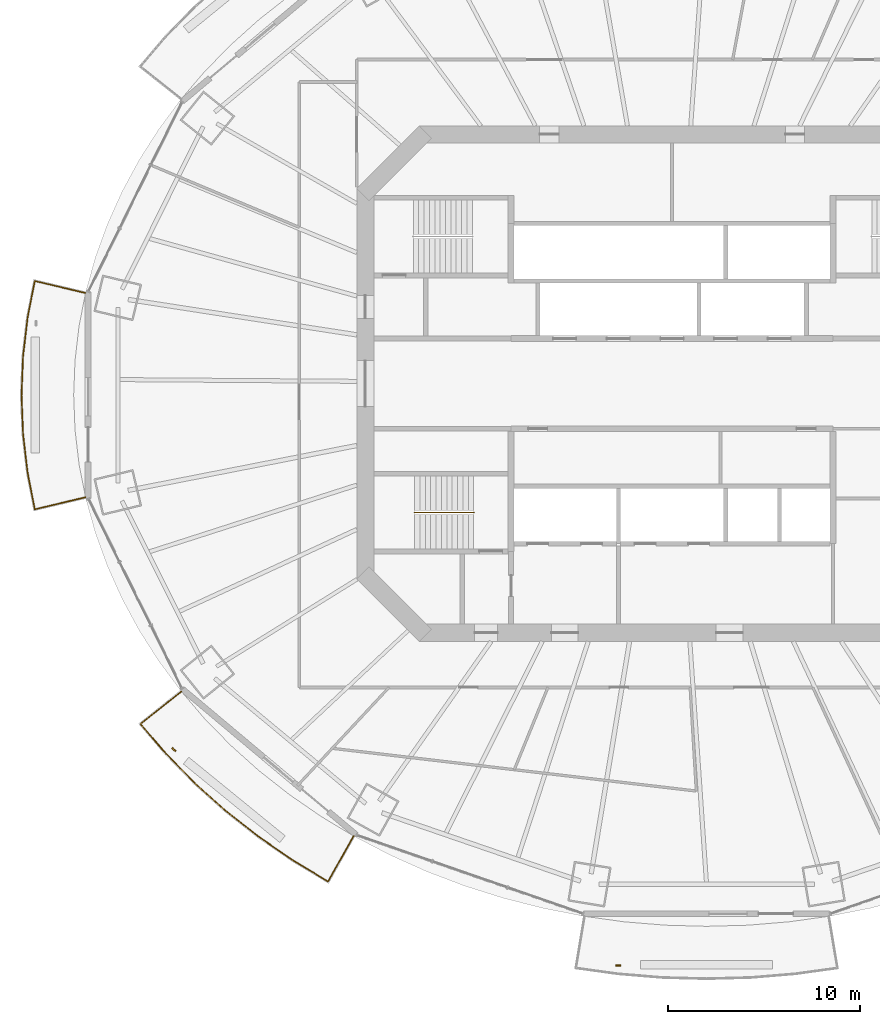
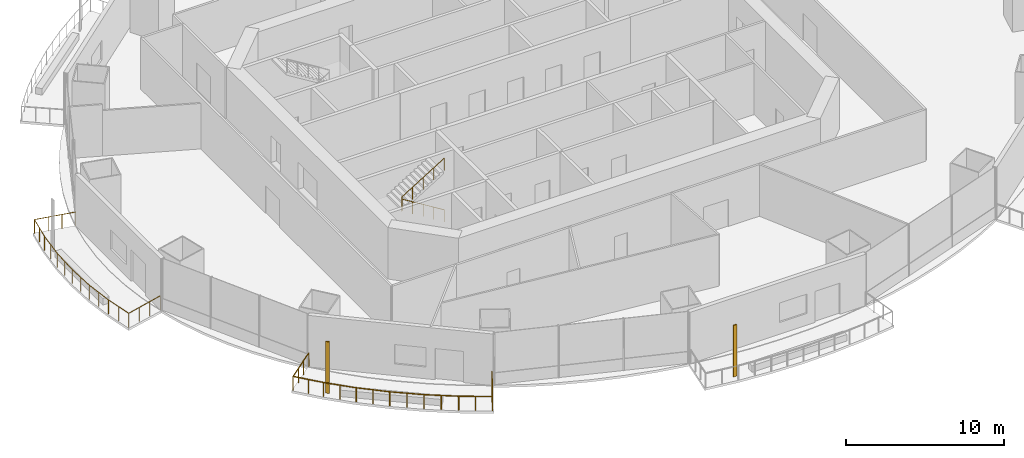
# One storey, part 16 of 21: 3 railings, 2 shading devices.
"""IFC4 building model written with IfcOpenShell, lengths in metres."""

from ifc_helpers import new_model, si_unit, direction, frame, origin, origin_2d, place, context, subcontext, project, spatial, rectangle, circle, extrude, material, material_profile, profile_set, type_object, element, save


model = new_model("IFC4")

# Units and contexts
model_context = context("Model", 3, precision=1e-05, world=origin(), true_north=direction((0.0, 1.0)))
body_context = subcontext(model_context, "Body", "Model", "MODEL_VIEW")
ifc_project = project(units=[si_unit("LENGTHUNIT", "METRE"), si_unit("AREAUNIT", "SQUARE_METRE"), si_unit("VOLUMEUNIT", "CUBIC_METRE"), si_unit("PLANEANGLEUNIT", "RADIAN"), si_unit("MASSUNIT", "GRAM", prefix="KILO")], contexts=[model_context])

# Site, building, storey
site_placement = place(None, origin())
site = spatial("IfcSite", under=ifc_project, at=site_placement, CompositionType="ELEMENT")
building_placement = place(site_placement, origin())
building = spatial("IfcBuilding", under=site, at=building_placement, Name="Marenthal Gate Tower", CompositionType="ELEMENT")
storey_placement = place(building_placement, frame((0.0, 0.0, 169.35009765625)))
storey = spatial("IfcBuildingStorey", under=building, at=storey_placement, Name="L36", CompositionType="ELEMENT", Elevation=169.35009765625)

# Railings
ifc_material_1 = material(Name="Stainless steel", Category="steel")
railing_type_1 = type_object("IfcRailingType", Name="Balcony guard 1100", PredefinedType="GUARDRAIL", material=ifc_material_1)
railing_1_placement = place(storey_placement, frame((-30.60302734375, -5.928466796875, 0.0)))
element("IfcRailing", 1, at=railing_1_placement, inside=storey, type_object=railing_type_1, Name="Balcony guard L36 bay 8", PredefinedType="GUARDRAIL", context=body_context, shape_type="SweptSolid", body=[
    extrude(circle(Radius=0.02392578125, at=origin_2d()), frame((0.0, 0.0, 1.076171875), z_axis=(-0.972987052972, -0.230389979244, -0.014719110478), x_axis=(0.230414940549, -0.973092470001, 0.0)), (0.0, 0.0, 1.0), 2.72021484375),
    extrude(circle(Radius=0.02392578125, at=origin_2d()), frame((-2.646728515625, -0.626708984375, 1.0361328125), z_axis=(-0.19149861164, 0.981492884202, 0.0), x_axis=(-0.981492884202, -0.19149861164, 0.0)), (0.0, 0.0, 1.0), 1.953125),
    extrude(circle(Radius=0.02392578125, at=origin_2d()), frame((-3.020751953125, 1.290283203125, 1.0361328125), z_axis=(-0.116533907745, 0.993186713738, 0.0), x_axis=(-0.993186713738, -0.116533907745, 0.0)), (0.0, 0.0, 1.0), 2.028076171875),
    extrude(circle(Radius=0.02392578125, at=origin_2d()), frame((-3.257080078125, 3.304443359375, 1.0361328125), z_axis=(-0.038933064912, 0.99924182081, 0.0), x_axis=(-0.99924182081, -0.038933064912, 0.0)), (0.0, 0.0, 1.0), 2.025390625),
    extrude(circle(Radius=0.02392578125, at=origin_2d()), frame((-3.3359375, 5.328369140625, 1.0361328125), z_axis=(0.038928376206, 0.999242003484, 0.0), x_axis=(-0.999242003484, 0.038928376206, 0.0)), (0.0, 0.0, 1.0), 2.025634765625),
    extrude(circle(Radius=0.02392578125, at=origin_2d()), frame((-3.257080078125, 7.3525390625, 1.0361328125), z_axis=(0.116533907745, 0.993186713738, 0.0), x_axis=(-0.993186713738, 0.116533907745, 0.0)), (0.0, 0.0, 1.0), 2.028076171875),
    extrude(circle(Radius=0.02392578125, at=origin_2d()), frame((-3.020751953125, 9.36669921875, 1.0361328125), z_axis=(0.19149861164, 0.981492884202, 0.0), x_axis=(-0.981492884202, 0.19149861164, 0.0)), (0.0, 0.0, 1.0), 1.953125),
    extrude(circle(Radius=0.02392578125, at=origin_2d()), frame((-2.646728515625, 11.28369140625, 1.0361328125), z_axis=(0.972987052972, -0.230389979244, 0.014719110478), x_axis=(0.230414940549, 0.973092470001, 0.0)), (0.0, 0.0, 1.0), 2.72021484375),
    extrude(circle(Radius=0.02099609375, at=origin_2d()), origin(), (0.0, 0.0, 1.0), 1.052001953125),
    extrude(circle(Radius=0.02099609375, at=origin_2d()), frame((-0.88232421875, -0.208984375, -0.013427734375)), (0.0, 0.0, 1.0), 1.052001953125),
    extrude(circle(Radius=0.02099609375, at=origin_2d()), frame((-1.764404296875, -0.417724609375, -0.026611328125)), (0.0, 0.0, 1.0), 1.052001953125),
    extrude(circle(Radius=0.02099609375, at=origin_2d()), frame((-2.646728515625, -0.626708984375, -0.0400390625)), (0.0, 0.0, 1.0), 1.052001953125),
    extrude(circle(Radius=0.02099609375, at=origin_2d()), frame((-2.833740234375, 0.331787109375, -0.0400390625)), (0.0, 0.0, 1.0), 1.052001953125),
    extrude(circle(Radius=0.02099609375, at=origin_2d()), frame((-3.020751953125, 1.290283203125, -0.0400390625)), (0.0, 0.0, 1.0), 1.052001953125),
    extrude(circle(Radius=0.02099609375, at=origin_2d()), frame((-3.138916015625, 2.29736328125, -0.0400390625)), (0.0, 0.0, 1.0), 1.052001953125),
    extrude(circle(Radius=0.02099609375, at=origin_2d()), frame((-3.257080078125, 3.304443359375, -0.0400390625)), (0.0, 0.0, 1.0), 1.052001953125),
    extrude(circle(Radius=0.02099609375, at=origin_2d()), frame((-3.29638671875, 4.31640625, -0.0400390625)), (0.0, 0.0, 1.0), 1.052001953125),
    extrude(circle(Radius=0.02099609375, at=origin_2d()), frame((-3.3359375, 5.328369140625, -0.0400390625)), (0.0, 0.0, 1.0), 1.052001953125),
    extrude(circle(Radius=0.02099609375, at=origin_2d()), frame((-3.29638671875, 6.34033203125, -0.0400390625)), (0.0, 0.0, 1.0), 1.052001953125),
    extrude(circle(Radius=0.02099609375, at=origin_2d()), frame((-3.257080078125, 7.3525390625, -0.0400390625)), (0.0, 0.0, 1.0), 1.052001953125),
    extrude(circle(Radius=0.02099609375, at=origin_2d()), frame((-3.138916015625, 8.359619140625, -0.0400390625)), (0.0, 0.0, 1.0), 1.052001953125),
    extrude(circle(Radius=0.02099609375, at=origin_2d()), frame((-3.020751953125, 9.36669921875, -0.0400390625)), (0.0, 0.0, 1.0), 1.052001953125),
    extrude(circle(Radius=0.02099609375, at=origin_2d()), frame((-2.833740234375, 10.3251953125, -0.0400390625)), (0.0, 0.0, 1.0), 1.052001953125),
    extrude(circle(Radius=0.02099609375, at=origin_2d()), frame((-2.646728515625, 11.28369140625, -0.0400390625)), (0.0, 0.0, 1.0), 1.052001953125),
    extrude(circle(Radius=0.02099609375, at=origin_2d()), frame((-1.764404296875, 11.07470703125, -0.026611328125)), (0.0, 0.0, 1.0), 1.052001953125),
    extrude(circle(Radius=0.02099609375, at=origin_2d()), frame((-0.88232421875, 10.865966796875, -0.013427734375)), (0.0, 0.0, 1.0), 1.052001953125),
    extrude(circle(Radius=0.02099609375, at=origin_2d()), frame((0.0, 10.656982421875, 0.0)), (0.0, 0.0, 1.0), 1.052001953125),
])
railing_2_placement = place(storey_placement, frame((-16.6142578125, -23.6025390625, 0.0)))
element("IfcRailing", 2, at=railing_2_placement, inside=storey, type_object=railing_type_1, Name="Balcony guard L36 bay 10", PredefinedType="GUARDRAIL", context=body_context, shape_type="SweptSolid", body=[
    extrude(circle(Radius=0.02392578125, at=origin_2d()), frame((0.0, 0.0, 1.076171875), z_axis=(-0.4893727887, -0.871950488724, -0.014717978608), x_axis=(0.872044944545, -0.489425801009, 0.0)), (0.0, 0.0, 1.0), 2.720458984375),
    extrude(circle(Radius=0.02392578125, at=origin_2d()), frame((-1.331298828125, -2.3720703125, 1.0361328125), z_axis=(-0.856310567602, 0.516461239411, 0.0), x_axis=(-0.516461239411, -0.856310567602, 0.0)), (0.0, 0.0, 1.0), 2.1357421875),
    extrude(circle(Radius=0.02392578125, at=origin_2d()), frame((-3.16015625, -1.26904296875, 1.0361328125), z_axis=(-0.823545660097, 0.567249985223, 0.0), x_axis=(-0.567249985223, -0.823545660097, 0.0)), (0.0, 0.0, 1.0), 2.197509765625),
    extrude(circle(Radius=0.02392578125, at=origin_2d()), frame((-4.969970703125, -0.0224609375, 1.0361328125), z_axis=(-0.786162827468, 0.618019424215, 0.0), x_axis=(-0.618019424215, -0.786162827468, 0.0)), (0.0, 0.0, 1.0), 2.179443359375),
    extrude(circle(Radius=0.02392578125, at=origin_2d()), frame((-6.683349609375, 1.324462890625, 1.0361328125), z_axis=(-0.744697255009, 0.667402426113, 0.0), x_axis=(-0.667402426113, -0.744697255009, 0.0)), (0.0, 0.0, 1.0), 2.160400390625),
    extrude(circle(Radius=0.02392578125, at=origin_2d()), frame((-8.292236328125, 2.766357421875, 1.0361328125), z_axis=(-0.699083967081, 0.715039584198, 0.0), x_axis=(-0.715039584198, -0.699083967081, 0.0)), (0.0, 0.0, 1.0), 2.14208984375),
    extrude(circle(Radius=0.02392578125, at=origin_2d()), frame((-9.789794921875, 4.298095703125, 1.0361328125), z_axis=(-0.650279703498, 0.759694877709, 0.0), x_axis=(-0.759694877709, -0.650279703498, 0.0)), (0.0, 0.0, 1.0), 2.0439453125),
    extrude(circle(Radius=0.02392578125, at=origin_2d()), frame((-11.118896484375, 5.850830078125, 1.0361328125), z_axis=(0.782541115897, 0.622424892619, 0.014719204382), x_axis=(-0.622492329303, 0.782625900388, 0.0)), (0.0, 0.0, 1.0), 2.72021484375),
    extrude(circle(Radius=0.02099609375, at=origin_2d()), origin(), (0.0, 0.0, 1.0), 1.052001953125),
    extrude(circle(Radius=0.02099609375, at=origin_2d()), frame((-0.44384765625, -0.790771484375, -0.013427734375)), (0.0, 0.0, 1.0), 1.052001953125),
    extrude(circle(Radius=0.02099609375, at=origin_2d()), frame((-0.887451171875, -1.581298828125, -0.026611328125)), (0.0, 0.0, 1.0), 1.052001953125),
    extrude(circle(Radius=0.02099609375, at=origin_2d()), frame((-1.331298828125, -2.3720703125, -0.0400390625)), (0.0, 0.0, 1.0), 1.052001953125),
    extrude(circle(Radius=0.02099609375, at=origin_2d()), frame((-2.24560546875, -1.820556640625, -0.0400390625)), (0.0, 0.0, 1.0), 1.052001953125),
    extrude(circle(Radius=0.02099609375, at=origin_2d()), frame((-3.16015625, -1.26904296875, -0.0400390625)), (0.0, 0.0, 1.0), 1.052001953125),
    extrude(circle(Radius=0.02099609375, at=origin_2d()), frame((-4.06494140625, -0.645751953125, -0.0400390625)), (0.0, 0.0, 1.0), 1.052001953125),
    extrude(circle(Radius=0.02099609375, at=origin_2d()), frame((-4.969970703125, -0.0224609375, -0.0400390625)), (0.0, 0.0, 1.0), 1.052001953125),
    extrude(circle(Radius=0.02099609375, at=origin_2d()), frame((-5.82666015625, 0.65087890625, -0.0400390625)), (0.0, 0.0, 1.0), 1.052001953125),
    extrude(circle(Radius=0.02099609375, at=origin_2d()), frame((-6.683349609375, 1.324462890625, -0.0400390625)), (0.0, 0.0, 1.0), 1.052001953125),
    extrude(circle(Radius=0.02099609375, at=origin_2d()), frame((-7.48779296875, 2.04541015625, -0.0400390625)), (0.0, 0.0, 1.0), 1.052001953125),
    extrude(circle(Radius=0.02099609375, at=origin_2d()), frame((-8.292236328125, 2.766357421875, -0.0400390625)), (0.0, 0.0, 1.0), 1.052001953125),
    extrude(circle(Radius=0.02099609375, at=origin_2d()), frame((-9.041015625, 3.5322265625, -0.0400390625)), (0.0, 0.0, 1.0), 1.052001953125),
    extrude(circle(Radius=0.02099609375, at=origin_2d()), frame((-9.789794921875, 4.298095703125, -0.0400390625)), (0.0, 0.0, 1.0), 1.052001953125),
    extrude(circle(Radius=0.02099609375, at=origin_2d()), frame((-10.454345703125, 5.074462890625, -0.0400390625)), (0.0, 0.0, 1.0), 1.052001953125),
    extrude(circle(Radius=0.02099609375, at=origin_2d()), frame((-11.118896484375, 5.850830078125, -0.0400390625)), (0.0, 0.0, 1.0), 1.052001953125),
    extrude(circle(Radius=0.02099609375, at=origin_2d()), frame((-10.409423828125, 6.415283203125, -0.026611328125)), (0.0, 0.0, 1.0), 1.052001953125),
    extrude(circle(Radius=0.02099609375, at=origin_2d()), frame((-9.69970703125, 6.9794921875, -0.013427734375)), (0.0, 0.0, 1.0), 1.052001953125),
    extrude(circle(Radius=0.02099609375, at=origin_2d()), frame((-8.990234375, 7.5439453125, 0.0)), (0.0, 0.0, 1.0), 1.052001953125),
])
ifc_material_2 = material(Name="Stainless steel", Category="steel")
railing_type_2 = type_object("IfcRailingType", Name="Stair handrail", PredefinedType="HANDRAIL", material=ifc_material_2)
railing_3_placement = place(storey_placement, frame((-10.35009765625, -6.72509765625, 0.1728515625)))
element("IfcRailing", 3, at=railing_3_placement, inside=storey, type_object=railing_type_2, Name="Handrail ST2", PredefinedType="HANDRAIL", context=body_context, shape_type="SweptSolid", body=[
    extrude(circle(Radius=0.0224609375, at=origin_2d()), frame((0.0, 0.0, 0.927490234375), z_axis=(-0.850816621229, 0.0, 0.525462726595), x_axis=(0.0, -1.0, 0.0)), (0.0, 0.0, 1.0), 3.619873046875),
    extrude(circle(Radius=0.0224609375, at=origin_2d()), frame((-3.079833984375, 0.0, 2.82958984375), z_axis=(0.0, 0.0, 1.0), x_axis=(1.0, 0.0, 0.0)), (0.0, 0.0, 1.0), 0.1728515625),
    extrude(circle(Radius=0.0224609375, at=origin_2d()), frame((-3.079833984375, 0.0, 3.00244140625), z_axis=(0.850816621229, 0.0, 0.525462726595), x_axis=(0.0, 1.0, 0.0)), (0.0, 0.0, 1.0), 3.619873046875),
    extrude(circle(Radius=0.02001953125, at=origin_2d()), origin(), (0.0, 0.0, 1.0), 0.905029296875),
    extrude(circle(Radius=0.02001953125, at=origin_2d()), frame((-0.77001953125, 0.0, 0.4755859375)), (0.0, 0.0, 1.0), 0.905029296875),
    extrude(circle(Radius=0.02001953125, at=origin_2d()), frame((-1.5400390625, 0.0, 0.951171875)), (0.0, 0.0, 1.0), 0.905029296875),
    extrude(circle(Radius=0.02001953125, at=origin_2d()), frame((-2.309814453125, 0.0, 1.426513671875)), (0.0, 0.0, 1.0), 0.905029296875),
    extrude(circle(Radius=0.02001953125, at=origin_2d()), frame((-3.079833984375, 0.0, 1.902099609375)), (0.0, 0.0, 1.0), 0.905029296875),
    extrude(circle(Radius=0.02001953125, at=origin_2d()), frame((-3.079833984375, 0.0, 2.074951171875)), (0.0, 0.0, 1.0), 0.905029296875),
    extrude(circle(Radius=0.02001953125, at=origin_2d()), frame((-2.309814453125, 0.0, 2.550537109375)), (0.0, 0.0, 1.0), 0.905029296875),
    extrude(circle(Radius=0.02001953125, at=origin_2d()), frame((-1.5400390625, 0.0, 3.02587890625)), (0.0, 0.0, 1.0), 0.905029296875),
    extrude(circle(Radius=0.02001953125, at=origin_2d()), frame((-0.77001953125, 0.0, 3.50146484375)), (0.0, 0.0, 1.0), 0.905029296875),
    extrude(circle(Radius=0.02001953125, at=origin_2d()), frame((0.0, 0.0, 3.97705078125)), (0.0, 0.0, 1.0), 0.905029296875),
])

# Shading devices
ifc_material_3 = material(Name="Terracotta", Category="masonry")
ifc_material_profile = material_profile(ifc_material_3, rectangle(XDim=0.25, YDim=0.080078125, at=origin_2d()), Name="Terracotta baguette 250x80")
ifc_profile_set = profile_set([ifc_material_profile], Name="Terracotta")
shading_device_type = type_object("IfcShadingDeviceType", Name="Terracotta BAGUETTE SCREEN 250x80", PredefinedType="USERDEFINED", material=ifc_profile_set)
for number, where, z_axis, x_axis, name in (
    (4, (-25.990478515625, -19.09130859375, -0.0400390625), (0.0, 0.0, 1.0), (0.765921119211, -0.642934552771, 0.0), "Terracotta BAGUETTE L36 bay 10L"),
    (5, (-2.802734375, -30.35595703125, -0.0400390625), (0.0, 0.0, 1.0), (1.0, 0.0, 0.0), "Terracotta BAGUETTE L36 bay 12L"),
):
    element("IfcShadingDevice", number, at=place(storey_placement, frame(where, z_axis=z_axis, x_axis=x_axis)), inside=storey, type_object=shading_device_type, Name=name, ObjectType="BAGUETTE SCREEN", PredefinedType="USERDEFINED", context=body_context, shape_type="SweptSolid", body=[
        extrude(rectangle(XDim=0.25, YDim=0.080078125, at=origin_2d()), origin(), (0.0, 0.0, 1.0), 3.969970703125),
    ])

save(model, "model.ifc")
